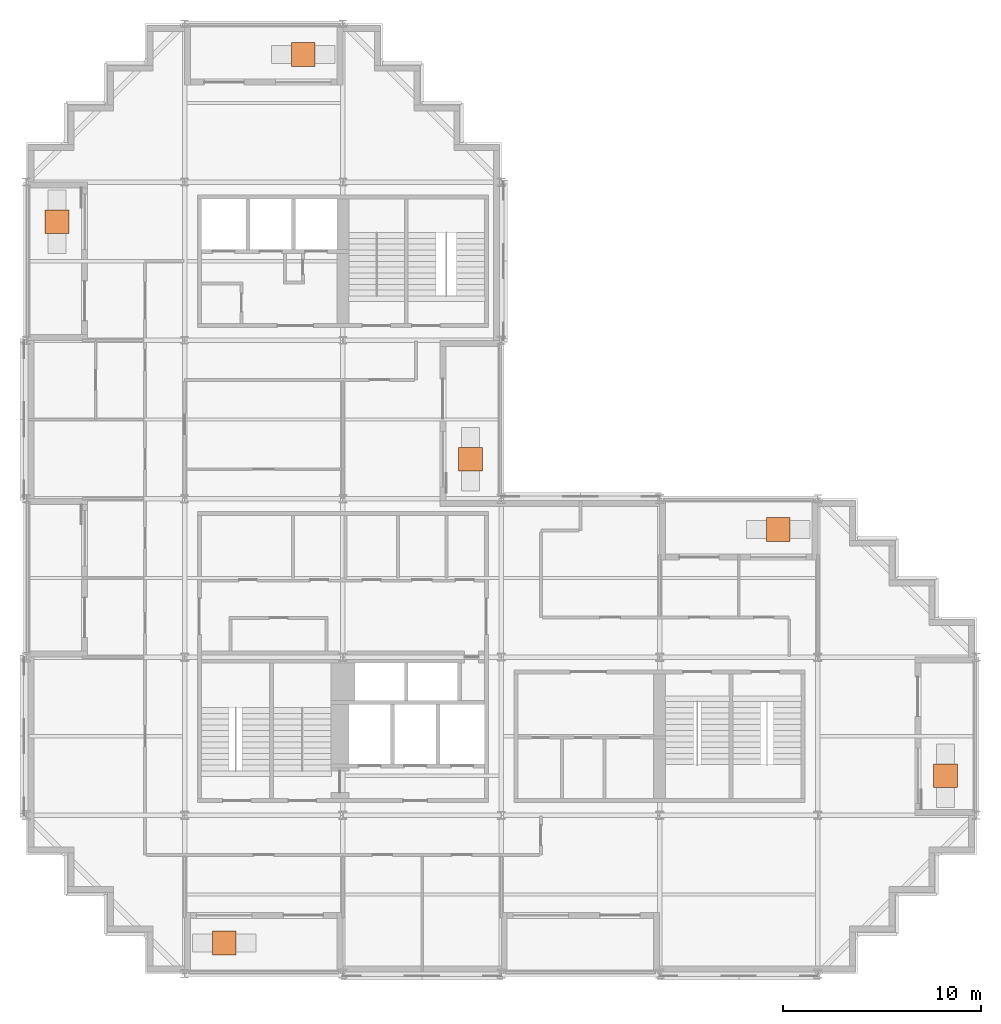
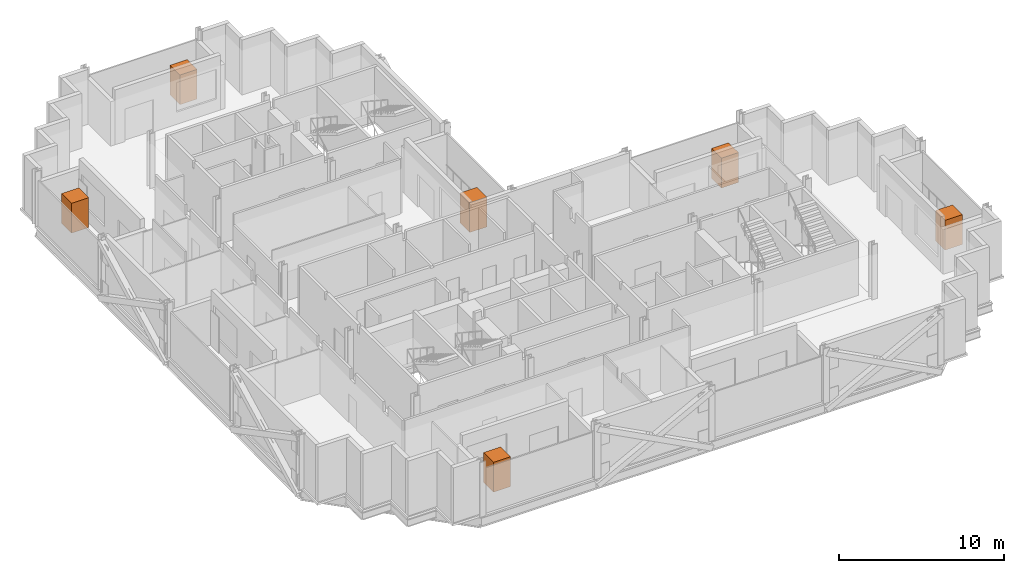
# One storey, part 12 of 12: 6 geographic elements.
"""IFC4 building model written with IfcOpenShell, lengths in metres."""

from ifc_helpers import new_model, si_unit, direction, frame, origin, origin_2d, place, context, subcontext, project, spatial, rectangle, extrude, material, type_object, element, save


model = new_model("IFC4")

# Units and contexts
model_context = context("Model", 3, precision=1e-05, world=origin(), true_north=direction((0.0, 1.0)))
body_context = subcontext(model_context, "Body", "Model", "MODEL_VIEW")
ifc_project = project(units=[si_unit("LENGTHUNIT", "METRE"), si_unit("AREAUNIT", "SQUARE_METRE"), si_unit("VOLUMEUNIT", "CUBIC_METRE"), si_unit("PLANEANGLEUNIT", "RADIAN"), si_unit("MASSUNIT", "GRAM", prefix="KILO")], contexts=[model_context])

# Site, building, storey
site_placement = place(None, origin())
site = spatial("IfcSite", under=ifc_project, at=site_placement, CompositionType="ELEMENT")
building_placement = place(site_placement, origin())
building = spatial("IfcBuilding", under=site, at=building_placement, Name="Immortelle Media Tower", CompositionType="ELEMENT")
storey_placement = place(building_placement, frame((0.0, 0.0, 145.199951171875)))
storey = spatial("IfcBuildingStorey", under=building, at=storey_placement, Name="L29", CompositionType="ELEMENT", Elevation=145.199951171875)

# Geographic elements
ifc_material = material(Name="Tree canopy foliage")
geographic_element_type = type_object("IfcGeographicElementType", Name="Tree", PredefinedType="USERDEFINED", material=ifc_material)
for number, where, z_axis, x_axis, name in (
    (1, (10.0, 1.550048828125, 0.60009765625), (0.0, 0.0, 1.0), (1.0, 0.0, 0.0), "Tree L29 S0"),
    (2, (46.449951171875, 10.0, 0.60009765625), (0.0, 0.0, 1.0), (1.0, 0.0, 0.0), "Tree L29 E0"),
    (3, (38.0, 22.449951171875, 0.60009765625), (0.0, 0.0, 1.0), (1.0, 0.0, 0.0), "Tree L29 N0"),
    (4, (22.449951171875, 26.0, 0.60009765625), (0.0, 0.0, 1.0), (1.0, 0.0, 0.0), "Tree L29 E0"),
    (5, (14.0, 46.449951171875, 0.60009765625), (0.0, 0.0, 1.0), (1.0, 0.0, 0.0), "Tree L29 N0"),
    (6, (1.550048828125, 38.0, 0.60009765625), (0.0, 0.0, 1.0), (1.0, 0.0, 0.0), "Tree L29 W0"),
):
    element("IfcGeographicElement", number, at=place(storey_placement, frame(where, z_axis=z_axis, x_axis=x_axis)), inside=storey, type_object=geographic_element_type, Name=name, ObjectType="Tree", PredefinedType="USERDEFINED", context=body_context, shape_type="SweptSolid", body=[
        extrude(rectangle(XDim=1.199951171875, YDim=1.199951171875, at=origin_2d()), origin(), (0.0, 0.0, 1.0), 2.199951171875),
    ])

save(model, "model.ifc")
